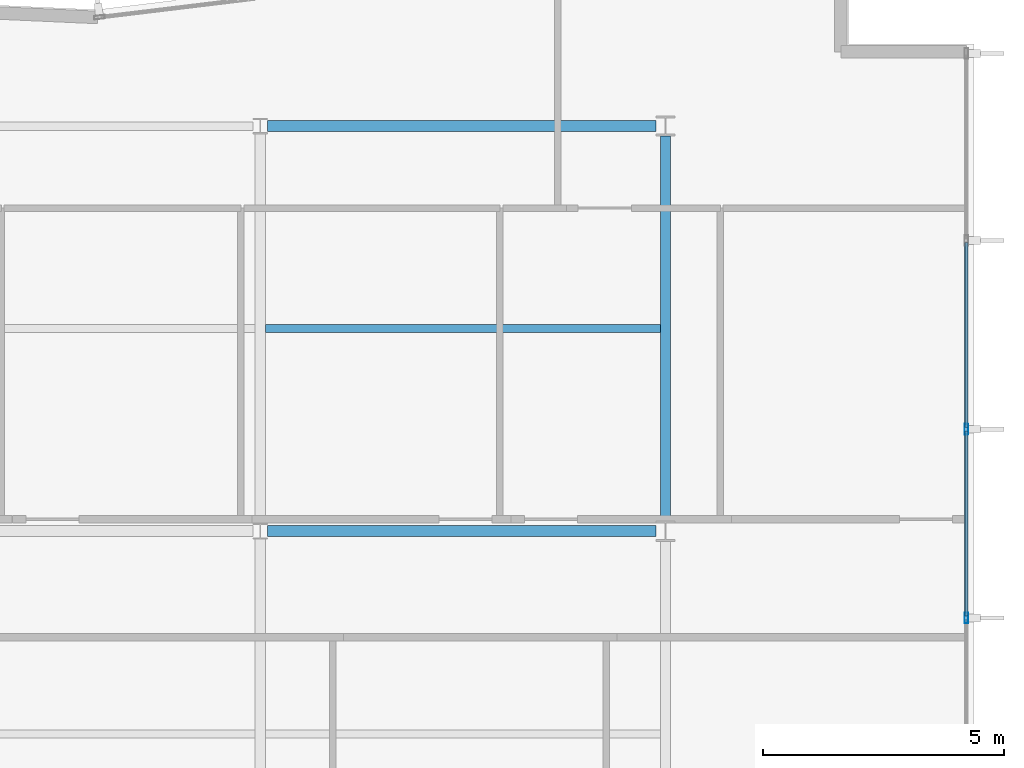
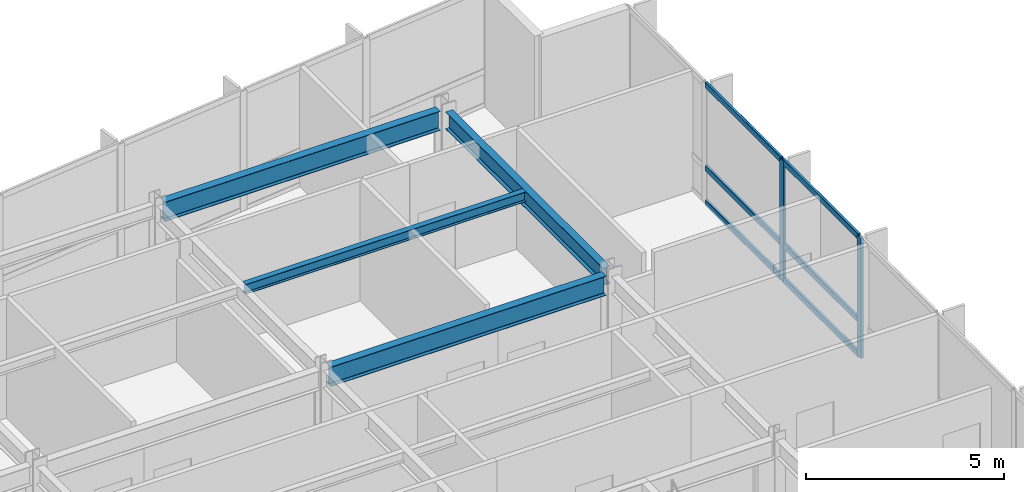
# One storey, part 7 of 18: 8 members, 4 beams, 1 element without a shape of its own.
"""IFC4 building model written with IfcOpenShell, lengths in metres."""

from ifc_helpers import new_model, si_unit, direction, frame, origin, origin_2d, place, context, subcontext, project, spatial, hollow_rectangle, i_section, extrude, material, layer, layer_set, material_profile, profile_set, type_object, element, aggregate, save


model = new_model("IFC4")

# Units and contexts
model_context = context("Model", 3, precision=1e-05, world=origin(), true_north=direction((0.0, 1.0)))
body_context = subcontext(model_context, "Body", "Model", "MODEL_VIEW")
ifc_project = project(units=[si_unit("LENGTHUNIT", "METRE"), si_unit("AREAUNIT", "SQUARE_METRE"), si_unit("VOLUMEUNIT", "CUBIC_METRE"), si_unit("PLANEANGLEUNIT", "RADIAN"), si_unit("MASSUNIT", "GRAM", prefix="KILO")], contexts=[model_context])

# Site, building, storey
site_placement = place(None, origin())
site = spatial("IfcSite", under=ifc_project, at=site_placement, CompositionType="ELEMENT")
building_placement = place(site_placement, origin())
building = spatial("IfcBuilding", under=site, at=building_placement, Name="Varnakote Quay Hospital", CompositionType="ELEMENT")
storey_placement = place(building_placement, frame((0.0, 0.0, 107.300048828125)))
storey = spatial("IfcBuildingStorey", under=building, at=storey_placement, Name="L26", CompositionType="ELEMENT", Elevation=107.300048828125)

# Beams
ifc_material_1 = material(Name="Structural steel AS/NZS 3679.1 Grade 350 L0 (fy 340 MPa)", Category="steel")
ifc_material_profile_1 = material_profile(ifc_material_1, i_section(OverallWidth=0.208984375, OverallDepth=0.532958984375, WebThickness=0.01025390625, FlangeThickness=0.015625, FilletRadius=0.013916015625, at=origin_2d()), Name="530UB92.4")
ifc_profile_set_1 = profile_set([ifc_material_profile_1], Name="Structural steel AS/NZS 3679.1 Grade 350 L0 (fy 340 MPa)")
beam_type_1 = type_object("IfcBeamType", Name="BM-STL-530UB92-4", PredefinedType="BEAM", material=ifc_profile_set_1)
beam_1_placement = place(storey_placement, frame((50.39990234375, 20.610107421875, 3.443359375), z_axis=(0.0, 1.0, 0.0), x_axis=(-1.0, 0.0, 0.0)))
element("IfcBeam", 1, at=beam_1_placement, inside=storey, type_object=beam_type_1, Name="L26 Primary Tie Beam", PredefinedType="BEAM", context=body_context, shape_type="SweptSolid", body=[
    extrude(i_section(OverallWidth=0.208984375, OverallDepth=0.532958984375, WebThickness=0.01025390625, FlangeThickness=0.015625, FilletRadius=0.013916015625, at=origin_2d()), origin(), (0.0, 0.0, 1.0), 7.97998046875),
])
ifc_material_2 = material(Name="Structural steel AS/NZS 3679.1 Grade 350 L0 (fy 340 MPa)", Category="steel")
ifc_material_profile_2 = material_profile(ifc_material_2, i_section(OverallWidth=0.22802734375, OverallDepth=0.60205078125, WebThickness=0.010498046875, FlangeThickness=0.014892578125, FilletRadius=0.013916015625, at=origin_2d()), Name="610UB101")
ifc_profile_set_2 = profile_set([ifc_material_profile_2], Name="Structural steel AS/NZS 3679.1 Grade 350 L0 (fy 340 MPa)")
beam_type_2 = type_object("IfcBeamType", Name="BM-STL-610UB101", PredefinedType="BEAM", material=ifc_profile_set_2)
for number, where, z_axis, x_axis, name in (
    (2, (42.154541015625, 20.39990234375, 3.408935546875), (1.0, 0.0, 0.0), (0.0, 1.0, 0.0), "L26 Primary Floor Beam"),
    (3, (42.154541015625, 28.800048828125, 3.408935546875), (1.0, 0.0, 0.0), (0.0, 1.0, 0.0), "L26 Primary Floor Beam"),
):
    element("IfcBeam", number, at=place(storey_placement, frame(where, z_axis=z_axis, x_axis=x_axis)), inside=storey, type_object=beam_type_2, Name=name, PredefinedType="BEAM", context=body_context, shape_type="SweptSolid", body=[
        extrude(i_section(OverallWidth=0.22802734375, OverallDepth=0.60205078125, WebThickness=0.010498046875, FlangeThickness=0.014892578125, FilletRadius=0.013916015625, at=origin_2d()), origin(), (0.0, 0.0, 1.0), 8.04541015625),
    ])

# Curtain wall, members
ifc_material_3 = material(Name="Anodised aluminium 6063-T6 Bronze", Category="aluminium")
ifc_layer = layer(ifc_material_3, 0.205078125)
ifc_layer_set = layer_set([ifc_layer], Name="Anodised aluminium 6063-T6 Bronze")
curtain_wall_type = type_object("IfcCurtainWallType", Name="CW-SYS-3", PredefinedType="NOTDEFINED", material=ifc_layer_set)
curtain_wall_placement = place(storey_placement, origin())
curtain_wall = element("IfcCurtainWall", 4, at=curtain_wall_placement, inside=storey, type_object=curtain_wall_type, Name="L26 Unitised Bronze Curtain Wall 1", PredefinedType="NOTDEFINED")
ifc_material_4 = material(Name="Anodised aluminium 6063-T6 Bronze", Category="aluminium")
ifc_material_profile_3 = material_profile(ifc_material_4, hollow_rectangle(XDim=0.074951171875, YDim=0.219970703125, WallThickness=0.00439453125, InnerFilletRadius=0.00439453125, OuterFilletRadius=0.009033203125, at=origin_2d()), Name="CW-MULL-220x75")
ifc_profile_set_3 = profile_set([ifc_material_profile_3], Name="Anodised aluminium 6063-T6 Bronze")
member_type_1 = type_object("IfcMemberType", Name="CW-MULL-220x75", PredefinedType="MULLION", material=ifc_profile_set_3)
member_1_placement = place(storey_placement, frame((56.639892578125, 18.60009765625, 0.0), z_axis=(0.0, 0.0, 1.0), x_axis=(-1.0, 0.0, 0.0)))
member_1 = element("IfcMember", 5, at=member_1_placement, type_object=member_type_1, Name="-3-L26-1 mullion 4", PredefinedType="MULLION", context=body_context, shape_type="SweptSolid", body=[
    extrude(hollow_rectangle(XDim=0.074951171875, YDim=0.219970703125, WallThickness=0.00439453125, InnerFilletRadius=0.00439453125, OuterFilletRadius=0.009033203125, at=origin_2d()), origin(), (0.0, 0.0, 1.0), 3.7099609375),
])
member_2_placement = place(storey_placement, frame((56.639892578125, 22.513427734375, 0.0), z_axis=(0.0, 0.0, 1.0), x_axis=(-1.0, 0.0, 0.0)))
member_2 = element("IfcMember", 6, at=member_2_placement, type_object=member_type_1, Name="-3-L26-1 mullion 5", PredefinedType="MULLION", context=body_context, shape_type="SweptSolid", body=[
    extrude(hollow_rectangle(XDim=0.074951171875, YDim=0.219970703125, WallThickness=0.00439453125, InnerFilletRadius=0.00439453125, OuterFilletRadius=0.009033203125, at=origin_2d()), origin(), (0.0, 0.0, 1.0), 3.7099609375),
])
ifc_material_5 = material(Name="Anodised aluminium 6063-T6 Bronze", Category="aluminium")
ifc_material_profile_4 = material_profile(ifc_material_5, hollow_rectangle(XDim=0.074951171875, YDim=0.179931640625, WallThickness=0.004150390625, InnerFilletRadius=0.004150390625, OuterFilletRadius=0.00830078125, at=origin_2d()), Name="CW-TRAN-180x75")
ifc_profile_set_4 = profile_set([ifc_material_profile_4], Name="Anodised aluminium 6063-T6 Bronze")
member_type_2 = type_object("IfcMemberType", Name="CW-TRAN-180x75", PredefinedType="USERDEFINED", material=ifc_profile_set_4)
member_3_placement = place(storey_placement, frame((56.639892578125, 18.637451171875, 0.037353515625), z_axis=(0.0, 1.0, 0.0), x_axis=(-1.0, 0.0, 0.0)))
member_3 = element("IfcMember", 7, at=member_3_placement, type_object=member_type_2, Name="-3-L26-1 transom 4.1", ObjectType="TRANSOM", PredefinedType="USERDEFINED", context=body_context, shape_type="SweptSolid", body=[
    extrude(hollow_rectangle(XDim=0.074951171875, YDim=0.179931640625, WallThickness=0.004150390625, InnerFilletRadius=0.004150390625, OuterFilletRadius=0.00830078125, at=origin_2d()), origin(), (0.0, 0.0, 1.0), 3.83837890625),
])
member_4_placement = place(storey_placement, frame((56.639892578125, 18.637451171875, 1.099853515625), z_axis=(0.0, 1.0, 0.0), x_axis=(-1.0, 0.0, 0.0)))
member_4 = element("IfcMember", 8, at=member_4_placement, type_object=member_type_2, Name="-3-L26-1 transom 4.2", ObjectType="TRANSOM", PredefinedType="USERDEFINED", context=body_context, shape_type="SweptSolid", body=[
    extrude(hollow_rectangle(XDim=0.074951171875, YDim=0.179931640625, WallThickness=0.004150390625, InnerFilletRadius=0.004150390625, OuterFilletRadius=0.00830078125, at=origin_2d()), origin(), (0.0, 0.0, 1.0), 3.83837890625),
])
member_5_placement = place(storey_placement, frame((56.639892578125, 18.637451171875, 3.67236328125), z_axis=(0.0, 1.0, 0.0), x_axis=(-1.0, 0.0, 0.0)))
member_5 = element("IfcMember", 9, at=member_5_placement, type_object=member_type_2, Name="-3-L26-1 transom 4.3", ObjectType="TRANSOM", PredefinedType="USERDEFINED", context=body_context, shape_type="SweptSolid", body=[
    extrude(hollow_rectangle(XDim=0.074951171875, YDim=0.179931640625, WallThickness=0.004150390625, InnerFilletRadius=0.004150390625, OuterFilletRadius=0.00830078125, at=origin_2d()), origin(), (0.0, 0.0, 1.0), 3.83837890625),
])
member_6_placement = place(storey_placement, frame((56.639892578125, 22.55078125, 0.037353515625), z_axis=(0.0, 1.0, 0.0), x_axis=(-1.0, 0.0, 0.0)))
member_6 = element("IfcMember", 10, at=member_6_placement, type_object=member_type_2, Name="-3-L26-1 transom 5.1", ObjectType="TRANSOM", PredefinedType="USERDEFINED", context=body_context, shape_type="SweptSolid", body=[
    extrude(hollow_rectangle(XDim=0.074951171875, YDim=0.179931640625, WallThickness=0.004150390625, InnerFilletRadius=0.004150390625, OuterFilletRadius=0.00830078125, at=origin_2d()), origin(), (0.0, 0.0, 1.0), 3.83837890625),
])
member_7_placement = place(storey_placement, frame((56.639892578125, 22.55078125, 1.099853515625), z_axis=(0.0, 1.0, 0.0), x_axis=(-1.0, 0.0, 0.0)))
member_7 = element("IfcMember", 11, at=member_7_placement, type_object=member_type_2, Name="-3-L26-1 transom 5.2", ObjectType="TRANSOM", PredefinedType="USERDEFINED", context=body_context, shape_type="SweptSolid", body=[
    extrude(hollow_rectangle(XDim=0.074951171875, YDim=0.179931640625, WallThickness=0.004150390625, InnerFilletRadius=0.004150390625, OuterFilletRadius=0.00830078125, at=origin_2d()), origin(), (0.0, 0.0, 1.0), 3.83837890625),
])
member_8_placement = place(storey_placement, frame((56.639892578125, 22.55078125, 3.67236328125), z_axis=(0.0, 1.0, 0.0), x_axis=(-1.0, 0.0, 0.0)))
member_8 = element("IfcMember", 12, at=member_8_placement, type_object=member_type_2, Name="-3-L26-1 transom 5.3", ObjectType="TRANSOM", PredefinedType="USERDEFINED", context=body_context, shape_type="SweptSolid", body=[
    extrude(hollow_rectangle(XDim=0.074951171875, YDim=0.179931640625, WallThickness=0.004150390625, InnerFilletRadius=0.004150390625, OuterFilletRadius=0.00830078125, at=origin_2d()), origin(), (0.0, 0.0, 1.0), 3.83837890625),
])
aggregate(curtain_wall, [member_1, member_2, member_3, member_4, member_5, member_6, member_7, member_8])

# Beam
ifc_material_6 = material(Name="Structural steel AS/NZS 3679.1 Grade 350 L0 (fy 340 MPa)", Category="steel")
ifc_material_profile_5 = material_profile(ifc_material_6, i_section(OverallWidth=0.166015625, OverallDepth=0.306884765625, WebThickness=0.006591796875, FlangeThickness=0.01171875, FilletRadius=0.011474609375, at=origin_2d()), Name="310UB46.2")
ifc_profile_set_5 = profile_set([ifc_material_profile_5], Name="Structural steel AS/NZS 3679.1 Grade 350 L0 (fy 340 MPa)")
beam_type_3 = type_object("IfcBeamType", Name="JST-STL-310UB46-2", PredefinedType="JOIST", material=ifc_profile_set_5)
beam_2_placement = place(storey_placement, frame((42.1044921875, 24.60009765625, 3.556396484375), z_axis=(1.0, 0.0, 0.0), x_axis=(0.0, 1.0, 0.0)))
element("IfcBeam", 13, at=beam_2_placement, inside=storey, type_object=beam_type_3, Name="L26 Composite Floor Joist", PredefinedType="JOIST", context=body_context, shape_type="SweptSolid", body=[
    extrude(i_section(OverallWidth=0.166015625, OverallDepth=0.306884765625, WebThickness=0.006591796875, FlangeThickness=0.01171875, FilletRadius=0.011474609375, at=origin_2d()), origin(), (0.0, 0.0, 1.0), 8.19091796875),
])

save(model, "model.ifc")
